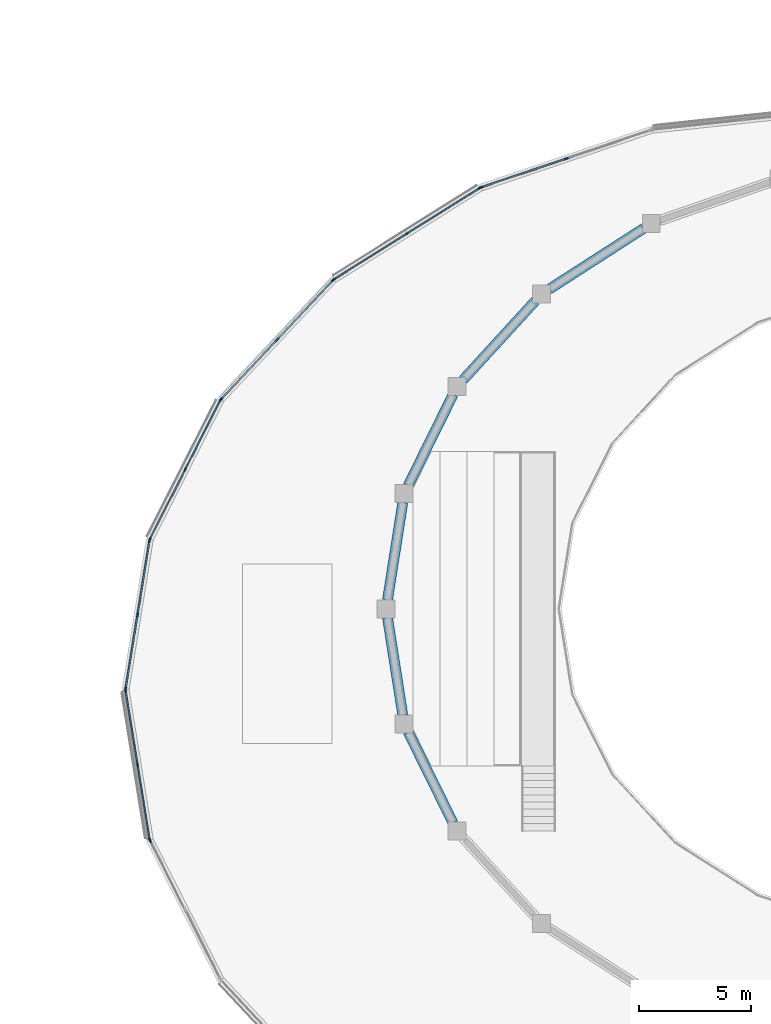
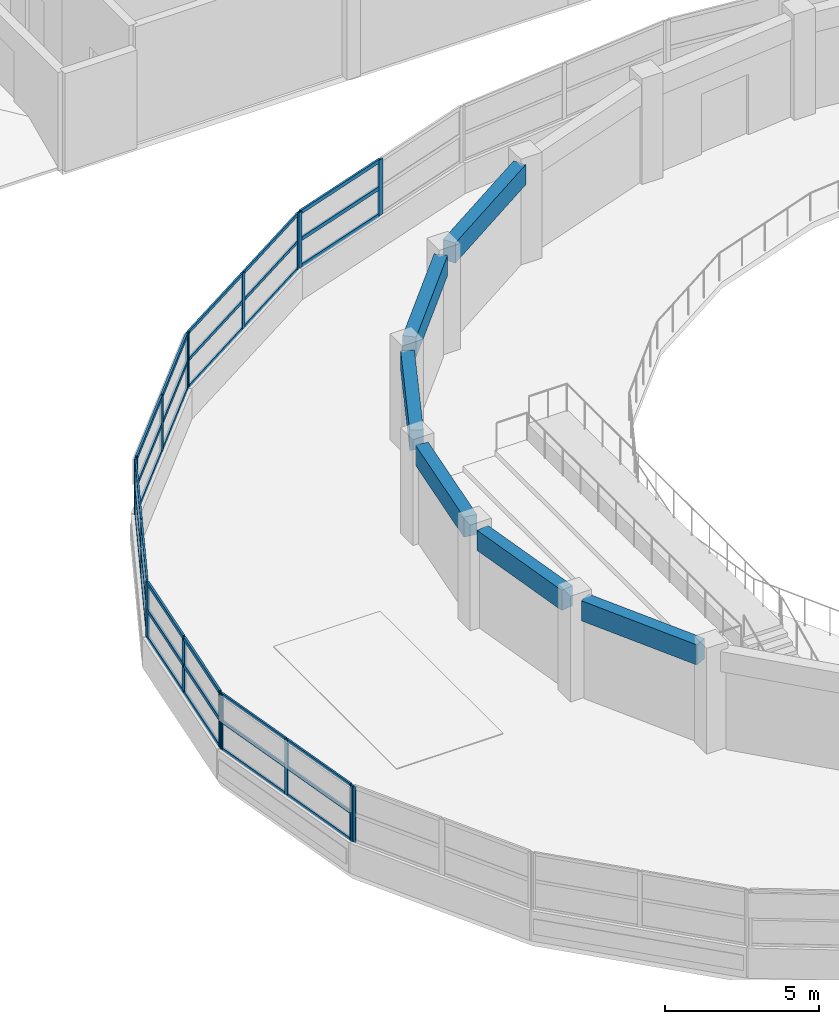
# One storey, part 13 of 54: 51 members, 6 beams, 7 elements without a shape of their own.
"""IFC4 building model written with IfcOpenShell, lengths in metres."""

from ifc_helpers import new_model, si_unit, direction, frame, origin, origin_2d, place, context, subcontext, project, spatial, rectangle, extrude, material, material_profile, profile_set, type_object, element, aggregate, save


model = new_model("IFC4")

# Units and contexts
model_context = context("Model", 3, precision=1e-05, world=origin(), true_north=direction((0.0, 1.0)))
body_context = subcontext(model_context, "Body", "Model", "MODEL_VIEW")
ifc_project = project(units=[si_unit("LENGTHUNIT", "METRE"), si_unit("AREAUNIT", "SQUARE_METRE"), si_unit("VOLUMEUNIT", "CUBIC_METRE"), si_unit("PLANEANGLEUNIT", "RADIAN"), si_unit("MASSUNIT", "GRAM", prefix="KILO")], contexts=[model_context])

# Site, building, storey
site_placement = place(None, origin())
site = spatial("IfcSite", under=ifc_project, at=site_placement, CompositionType="ELEMENT")
building_placement = place(site_placement, origin())
building = spatial("IfcBuilding", under=site, at=building_placement, Name="Parian Resonance Hall", CompositionType="ELEMENT")
storey_placement = place(building_placement, frame((0.0, 0.0, 15.0)))
storey = spatial("IfcBuildingStorey", under=building, at=storey_placement, Name="L03", CompositionType="ELEMENT", Elevation=15.0)

# Beams
ifc_material_1 = material(Name="Concrete C40/50", Category="concrete")
ifc_material_profile_1 = material_profile(ifc_material_1, rectangle(XDim=0.449951171875, YDim=0.800048828125, at=origin_2d()), Name="RC-BM-450x800")
ifc_profile_set_1 = profile_set([ifc_material_profile_1], Name="Concrete C40/50")
beam_type = type_object("IfcBeamType", Name="BM-RC450x800", PredefinedType="USERDEFINED", material=ifc_profile_set_1)
beam_1_placement = place(storey_placement, frame((31.86376953125, 60.930908203125, 3.530029296875), z_axis=(-0.840822266108, -0.541311293819, 0.0), x_axis=(0.541311293819, -0.840822266108, 0.0)))
element("IfcBeam", 1, at=beam_1_placement, inside=storey, type_object=beam_type, Name="Concert hall drum ring beam L03-09", ObjectType="GIRDER", PredefinedType="USERDEFINED", context=body_context, shape_type="SweptSolid", body=[
    extrude(rectangle(XDim=0.449951171875, YDim=0.800048828125, at=origin_2d()), origin(), (0.0, 0.0, 1.0), 5.012939453125),
])
beam_2_placement = place(storey_placement, frame((27.042236328125, 57.70556640625, 3.530029296875), z_axis=(-0.674892190981, -0.737916343872, 0.0), x_axis=(0.737916343872, -0.674892190981, 0.0)))
element("IfcBeam", 2, at=beam_2_placement, inside=storey, type_object=beam_type, Name="Concert hall drum ring beam L03-10", ObjectType="GIRDER", PredefinedType="USERDEFINED", context=body_context, shape_type="SweptSolid", body=[
    extrude(rectangle(XDim=0.449951171875, YDim=0.800048828125, at=origin_2d()), origin(), (0.0, 0.0, 1.0), 4.757080078125),
])
beam_3_placement = place(storey_placement, frame((23.384765625, 53.541259765625, 3.530029296875), z_axis=(-0.442697851544, -0.896670849441, 0.0), x_axis=(0.896670849441, -0.442697851544, 0.0)))
element("IfcBeam", 3, at=beam_3_placement, inside=storey, type_object=beam_type, Name="Concert hall drum ring beam L03-11", ObjectType="GIRDER", PredefinedType="USERDEFINED", context=body_context, shape_type="SweptSolid", body=[
    extrude(rectangle(XDim=0.449951171875, YDim=0.800048828125, at=origin_2d()), origin(), (0.0, 0.0, 1.0), 4.525390625),
])
for number, where, z_axis, x_axis, name in (
    (4, (21.14208984375, 48.7294921875, 3.530029296875), (-0.155033793728, -0.987909167283, 0.0), (0.987909167283, -0.155033793728, 0.0), "Concert hall drum ring beam L03-12"),
    (5, (20.4619140625, 43.604736328125, 3.530029296875), (0.155033793728, -0.987909167283, 0.0), (0.987909167283, 0.155033793728, 0.0), "Concert hall drum ring beam L03-13"),
):
    element("IfcBeam", number, at=place(storey_placement, frame(where, z_axis=z_axis, x_axis=x_axis)), inside=storey, type_object=beam_type, Name=name, ObjectType="GIRDER", PredefinedType="USERDEFINED", context=body_context, shape_type="SweptSolid", body=[
        extrude(rectangle(XDim=0.449951171875, YDim=0.800048828125, at=origin_2d()), origin(), (0.0, 0.0, 1.0), 4.38720703125),
    ])
beam_4_placement = place(storey_placement, frame((21.38134765625, 38.5166015625, 3.530029296875), z_axis=(0.442697851544, -0.896670849441, 0.0), x_axis=(0.896670849441, 0.442697851544, 0.0)))
element("IfcBeam", 6, at=beam_4_placement, inside=storey, type_object=beam_type, Name="Concert hall drum ring beam L03-14", ObjectType="GIRDER", PredefinedType="USERDEFINED", context=body_context, shape_type="SweptSolid", body=[
    extrude(rectangle(XDim=0.449951171875, YDim=0.800048828125, at=origin_2d()), origin(), (0.0, 0.0, 1.0), 4.525390625),
])

# Curtain wall, members
ifc_material_2 = material(Name="Bronze-anodised aluminium frame", Category="aluminium")
curtain_wall_type_1 = type_object("IfcCurtainWallType", Name="CW-SYS-05", PredefinedType="NOTDEFINED", material=ifc_material_2)
curtain_wall_1_placement = place(storey_placement, origin())
curtain_wall_1 = element("IfcCurtainWall", 7, at=curtain_wall_1_placement, inside=storey, type_object=curtain_wall_type_1, Name="Elliptical R3 recessed strip curtain wall 09", PredefinedType="NOTDEFINED")
ifc_material_3 = material(Name="Bronze-anodised aluminium frame", Category="aluminium")
ifc_material_profile_2 = material_profile(ifc_material_3, rectangle(XDim=0.06494140625, YDim=0.159912109375, at=origin_2d()), Name="CWM-65x160")
ifc_profile_set_2 = profile_set([ifc_material_profile_2], Name="Bronze-anodised aluminium frame")
member_type_1 = type_object("IfcMemberType", Name="CWM-65x160", PredefinedType="MULLION", material=ifc_profile_set_2)
member_1_placement = place(storey_placement, frame((18.0830078125, 58.66064453125, 1.19189453125), z_axis=(0.0, 0.0, 1.0), x_axis=(-0.530904164532, 0.847431866337, 0.0)))
member_1 = element("IfcMember", 8, at=member_1_placement, type_object=member_type_1, Name="CW-05 mullion 1", PredefinedType="MULLION", context=body_context, shape_type="SweptSolid", body=[
    extrude(rectangle(XDim=0.06494140625, YDim=0.159912109375, at=origin_2d()), origin(), (0.0, 0.0, 1.0), 2.218017578125),
])
member_2_placement = place(storey_placement, frame((21.32763671875, 60.693359375, 1.19189453125), z_axis=(0.0, 0.0, 1.0), x_axis=(-0.530904164532, 0.847431866337, 0.0)))
member_2 = element("IfcMember", 9, at=member_2_placement, type_object=member_type_1, Name="CW-05 mullion 2", PredefinedType="MULLION", context=body_context, shape_type="SweptSolid", body=[
    extrude(rectangle(XDim=0.06494140625, YDim=0.159912109375, at=origin_2d()), origin(), (0.0, 0.0, 1.0), 2.218017578125),
])
member_3_placement = place(storey_placement, frame((24.572509765625, 62.726318359375, 1.19189453125), z_axis=(0.0, 0.0, 1.0), x_axis=(-0.530904164532, 0.847431866337, 0.0)))
member_3 = element("IfcMember", 10, at=member_3_placement, type_object=member_type_1, Name="CW-05 mullion 3", PredefinedType="MULLION", context=body_context, shape_type="SweptSolid", body=[
    extrude(rectangle(XDim=0.06494140625, YDim=0.159912109375, at=origin_2d()), origin(), (0.0, 0.0, 1.0), 2.218017578125),
])

ifc_material_4 = material(Name="Bronze-anodised aluminium frame", Category="aluminium")
curtain_wall_type_2 = type_object("IfcCurtainWallType", Name="CW-SYS-01", PredefinedType="NOTDEFINED", material=ifc_material_4)
curtain_wall_2_placement = place(storey_placement, origin())
curtain_wall_2 = element("IfcCurtainWall", 11, at=curtain_wall_2_placement, inside=storey, type_object=curtain_wall_type_2, Name="Elliptical R3 recessed strip curtain wall 11", PredefinedType="NOTDEFINED")
member_4_placement = place(storey_placement, frame((9.891357421875, 47.1064453125, 1.19189453125), z_axis=(0.0, 0.0, 1.0), x_axis=(-0.891794894252, 0.452439903839, 0.0)))
member_4 = element("IfcMember", 12, at=member_4_placement, type_object=member_type_1, Name="CW-01 mullion 1", PredefinedType="MULLION", context=body_context, shape_type="SweptSolid", body=[
    extrude(rectangle(XDim=0.06494140625, YDim=0.159912109375, at=origin_2d()), origin(), (0.0, 0.0, 1.0), 2.218017578125),
])
member_5_placement = place(storey_placement, frame((11.455078125, 50.188720703125, 1.19189453125), z_axis=(0.0, 0.0, 1.0), x_axis=(-0.891794894252, 0.452439903839, 0.0)))
member_5 = element("IfcMember", 13, at=member_5_placement, type_object=member_type_1, Name="CW-01 mullion 2", PredefinedType="MULLION", context=body_context, shape_type="SweptSolid", body=[
    extrude(rectangle(XDim=0.06494140625, YDim=0.159912109375, at=origin_2d()), origin(), (0.0, 0.0, 1.0), 2.218017578125),
])
member_6_placement = place(storey_placement, frame((13.018798828125, 53.27099609375, 1.19189453125), z_axis=(0.0, 0.0, 1.0), x_axis=(-0.891794894252, 0.452439903839, 0.0)))
member_6 = element("IfcMember", 14, at=member_6_placement, type_object=member_type_1, Name="CW-01 mullion 3", PredefinedType="MULLION", context=body_context, shape_type="SweptSolid", body=[
    extrude(rectangle(XDim=0.06494140625, YDim=0.159912109375, at=origin_2d()), origin(), (0.0, 0.0, 1.0), 2.218017578125),
])

ifc_material_5 = material(Name="Bronze-anodised aluminium frame", Category="aluminium")
curtain_wall_type_3 = type_object("IfcCurtainWallType", Name="CW-SYS-03", PredefinedType="NOTDEFINED", material=ifc_material_5)
curtain_wall_3_placement = place(storey_placement, origin())
curtain_wall_3 = element("IfcCurtainWall", 15, at=curtain_wall_3_placement, inside=storey, type_object=curtain_wall_type_3, Name="Elliptical R3 recessed strip curtain wall 13", PredefinedType="NOTDEFINED")
member_7_placement = place(storey_placement, frame((9.87158203125, 33.754638671875, 1.19189453125), z_axis=(0.0, 0.0, 1.0), x_axis=(-0.987248467028, -0.159186884981, 0.0)))
member_7 = element("IfcMember", 16, at=member_7_placement, type_object=member_type_1, Name="CW-03 mullion 1", PredefinedType="MULLION", context=body_context, shape_type="SweptSolid", body=[
    extrude(rectangle(XDim=0.06494140625, YDim=0.159912109375, at=origin_2d()), origin(), (0.0, 0.0, 1.0), 2.218017578125),
])
member_8_placement = place(storey_placement, frame((9.33837890625, 37.061279296875, 1.19189453125), z_axis=(0.0, 0.0, 1.0), x_axis=(-0.987248467028, -0.159186884981, 0.0)))
member_8 = element("IfcMember", 17, at=member_8_placement, type_object=member_type_1, Name="CW-03 mullion 2", PredefinedType="MULLION", context=body_context, shape_type="SweptSolid", body=[
    extrude(rectangle(XDim=0.06494140625, YDim=0.159912109375, at=origin_2d()), origin(), (0.0, 0.0, 1.0), 2.218017578125),
])
member_9_placement = place(storey_placement, frame((8.80517578125, 40.367919921875, 1.19189453125), z_axis=(0.0, 0.0, 1.0), x_axis=(-0.987248467028, -0.159186884981, 0.0)))
member_9 = element("IfcMember", 18, at=member_9_placement, type_object=member_type_1, Name="CW-03 mullion 3", PredefinedType="MULLION", context=body_context, shape_type="SweptSolid", body=[
    extrude(rectangle(XDim=0.06494140625, YDim=0.159912109375, at=origin_2d()), origin(), (0.0, 0.0, 1.0), 2.218017578125),
])

ifc_material_6 = material(Name="Bronze-anodised aluminium frame", Category="aluminium")
curtain_wall_type_4 = type_object("IfcCurtainWallType", Name="CW-SYS-04", PredefinedType="NOTDEFINED", material=ifc_material_6)
curtain_wall_4_placement = place(storey_placement, origin())
curtain_wall_4 = element("IfcCurtainWall", 19, at=curtain_wall_4_placement, inside=storey, type_object=curtain_wall_type_4, Name="Elliptical R3 recessed strip curtain wall 08", PredefinedType="NOTDEFINED")
ifc_material_7 = material(Name="Bronze-anodised aluminium frame", Category="aluminium")
ifc_material_profile_3 = material_profile(ifc_material_7, rectangle(XDim=0.074951171875, YDim=0.199951171875, at=origin_2d()), Name="CWM-75x200")
ifc_profile_set_3 = profile_set([ifc_material_profile_3], Name="Bronze-anodised aluminium frame")
member_type_2 = type_object("IfcMemberType", Name="CWM-75x200", PredefinedType="MULLION", material=ifc_profile_set_3)
member_10_placement = place(storey_placement, frame((24.635498046875, 62.755615234375, 1.19189453125), z_axis=(0.0, 0.0, 1.0), x_axis=(-0.320360084104, 0.947295844239, 0.0)))
member_10 = element("IfcMember", 20, at=member_10_placement, type_object=member_type_2, Name="CW-04 mullion 1", PredefinedType="MULLION", context=body_context, shape_type="SweptSolid", body=[
    extrude(rectangle(XDim=0.074951171875, YDim=0.199951171875, at=origin_2d()), origin(), (0.0, 0.0, 1.0), 2.218017578125),
])
member_11_placement = place(storey_placement, frame((28.41064453125, 64.0322265625, 1.19189453125), z_axis=(0.0, 0.0, 1.0), x_axis=(-0.320360084104, 0.947295844239, 0.0)))
member_11 = element("IfcMember", 21, at=member_11_placement, type_object=member_type_2, Name="CW-04 mullion 2", PredefinedType="MULLION", context=body_context, shape_type="SweptSolid", body=[
    extrude(rectangle(XDim=0.074951171875, YDim=0.199951171875, at=origin_2d()), origin(), (0.0, 0.0, 1.0), 2.218017578125),
])

ifc_material_8 = material(Name="Bronze-anodised aluminium frame", Category="aluminium")
curtain_wall_type_5 = type_object("IfcCurtainWallType", Name="CW-SYS-06", PredefinedType="NOTDEFINED", material=ifc_material_8)
curtain_wall_5_placement = place(storey_placement, origin())
curtain_wall_5 = element("IfcCurtainWall", 22, at=curtain_wall_5_placement, inside=storey, type_object=curtain_wall_type_5, Name="Elliptical R3 recessed strip curtain wall 10", PredefinedType="NOTDEFINED")
member_12_placement = place(storey_placement, frame((13.059326171875, 53.327392578125, 1.19189453125), z_axis=(0.0, 0.0, 1.0), x_axis=(-0.728695449283, 0.684837894829, 0.0)))
member_12 = element("IfcMember", 23, at=member_12_placement, type_object=member_type_2, Name="CW-06 mullion 1", PredefinedType="MULLION", context=body_context, shape_type="SweptSolid", body=[
    extrude(rectangle(XDim=0.074951171875, YDim=0.199951171875, at=origin_2d()), origin(), (0.0, 0.0, 1.0), 2.218017578125),
])
member_13_placement = place(storey_placement, frame((15.54443359375, 55.9716796875, 1.19189453125), z_axis=(0.0, 0.0, 1.0), x_axis=(-0.728695449283, 0.684837894829, 0.0)))
member_13 = element("IfcMember", 24, at=member_13_placement, type_object=member_type_2, Name="CW-06 mullion 2", PredefinedType="MULLION", context=body_context, shape_type="SweptSolid", body=[
    extrude(rectangle(XDim=0.074951171875, YDim=0.199951171875, at=origin_2d()), origin(), (0.0, 0.0, 1.0), 2.218017578125),
])
member_14_placement = place(storey_placement, frame((18.02978515625, 58.615966796875, 1.19189453125), z_axis=(0.0, 0.0, 1.0), x_axis=(-0.728695449283, 0.684837894829, 0.0)))
member_14 = element("IfcMember", 25, at=member_14_placement, type_object=member_type_2, Name="CW-06 mullion 3", PredefinedType="MULLION", context=body_context, shape_type="SweptSolid", body=[
    extrude(rectangle(XDim=0.074951171875, YDim=0.199951171875, at=origin_2d()), origin(), (0.0, 0.0, 1.0), 2.218017578125),
])

ifc_material_9 = material(Name="Bronze-anodised aluminium frame", Category="aluminium")
curtain_wall_type_6 = type_object("IfcCurtainWallType", Name="CW-SYS-02", PredefinedType="NOTDEFINED", material=ifc_material_9)
curtain_wall_6_placement = place(storey_placement, origin())
curtain_wall_6 = element("IfcCurtainWall", 26, at=curtain_wall_6_placement, inside=storey, type_object=curtain_wall_type_6, Name="Elliptical R3 recessed strip curtain wall 12", PredefinedType="NOTDEFINED")
member_15_placement = place(storey_placement, frame((8.805908203125, 40.43701171875, 1.19189453125), z_axis=(0.0, 0.0, 1.0), x_axis=(-0.987248467028, 0.159186884981, 0.0)))
member_15 = element("IfcMember", 27, at=member_15_placement, type_object=member_type_2, Name="CW-02 mullion 1", PredefinedType="MULLION", context=body_context, shape_type="SweptSolid", body=[
    extrude(rectangle(XDim=0.074951171875, YDim=0.199951171875, at=origin_2d()), origin(), (0.0, 0.0, 1.0), 2.218017578125),
])
member_16_placement = place(storey_placement, frame((9.33837890625, 43.73876953125, 1.19189453125), z_axis=(0.0, 0.0, 1.0), x_axis=(-0.987248467028, 0.159186884981, 0.0)))
member_16 = element("IfcMember", 28, at=member_16_placement, type_object=member_type_2, Name="CW-02 mullion 2", PredefinedType="MULLION", context=body_context, shape_type="SweptSolid", body=[
    extrude(rectangle(XDim=0.074951171875, YDim=0.199951171875, at=origin_2d()), origin(), (0.0, 0.0, 1.0), 2.218017578125),
])
member_17_placement = place(storey_placement, frame((9.870849609375, 47.04052734375, 1.19189453125), z_axis=(0.0, 0.0, 1.0), x_axis=(-0.987248467028, 0.159186884981, 0.0)))
member_17 = element("IfcMember", 29, at=member_17_placement, type_object=member_type_2, Name="CW-02 mullion 3", PredefinedType="MULLION", context=body_context, shape_type="SweptSolid", body=[
    extrude(rectangle(XDim=0.074951171875, YDim=0.199951171875, at=origin_2d()), origin(), (0.0, 0.0, 1.0), 2.218017578125),
])

# Curtain wall, member
curtain_wall_7_placement = place(storey_placement, origin())
curtain_wall_7 = element("IfcCurtainWall", 30, at=curtain_wall_7_placement, inside=storey, type_object=curtain_wall_type_4, Name="Elliptical R3 recessed strip curtain wall 14", PredefinedType="NOTDEFINED")
member_18_placement = place(storey_placement, frame((9.8935546875, 33.68896484375, 1.19189453125), z_axis=(0.0, 0.0, 1.0), x_axis=(-0.891794894252, -0.452439903839, 0.0)))
member_18 = element("IfcMember", 31, at=member_18_placement, type_object=member_type_2, Name="CW-04 mullion 3", PredefinedType="MULLION", context=body_context, shape_type="SweptSolid", body=[
    extrude(rectangle(XDim=0.074951171875, YDim=0.199951171875, at=origin_2d()), origin(), (0.0, 0.0, 1.0), 2.218017578125),
])
aggregate(curtain_wall_7, [member_18])

# Member
ifc_material_10 = material(Name="Bronze-anodised aluminium frame", Category="aluminium")
ifc_material_profile_4 = material_profile(ifc_material_10, rectangle(XDim=0.06494140625, YDim=0.1201171875, at=origin_2d()), Name="CWT-65x120")
ifc_profile_set_4 = profile_set([ifc_material_profile_4], Name="Bronze-anodised aluminium frame")
member_type_3 = type_object("IfcMemberType", Name="CWT-65x120", PredefinedType="USERDEFINED", material=ifc_profile_set_4)
member_19_placement = place(storey_placement, frame((18.110595703125, 58.677978515625, 1.224609375), z_axis=(0.847414722029, 0.530931529379, 0.0), x_axis=(-0.530931529379, 0.847414722029, 0.0)))
member_19 = element("IfcMember", 32, at=member_19_placement, type_object=member_type_3, Name="CW-05 transom 1.1", ObjectType="TRANSOM", PredefinedType="USERDEFINED", context=body_context, shape_type="SweptSolid", body=[
    extrude(rectangle(XDim=0.06494140625, YDim=0.1201171875, at=origin_2d()), origin(), (0.0, 0.0, 1.0), 3.763671875),
])

member_20_placement = place(storey_placement, frame((18.110595703125, 58.677978515625, 2.300048828125), z_axis=(0.847414722029, 0.530931529379, 0.0), x_axis=(-0.530931529379, 0.847414722029, 0.0)))
member_20 = element("IfcMember", 33, at=member_20_placement, type_object=member_type_3, Name="CW-05 transom 1.2", ObjectType="TRANSOM", PredefinedType="USERDEFINED", context=body_context, shape_type="SweptSolid", body=[
    extrude(rectangle(XDim=0.06494140625, YDim=0.1201171875, at=origin_2d()), origin(), (0.0, 0.0, 1.0), 3.763671875),
])

member_21_placement = place(storey_placement, frame((18.110595703125, 58.677978515625, 3.37744140625), z_axis=(0.847414722029, 0.530931529379, 0.0), x_axis=(-0.530931529379, 0.847414722029, 0.0)))
member_21 = element("IfcMember", 34, at=member_21_placement, type_object=member_type_3, Name="CW-05 transom 1.3", ObjectType="TRANSOM", PredefinedType="USERDEFINED", context=body_context, shape_type="SweptSolid", body=[
    extrude(rectangle(XDim=0.06494140625, YDim=0.1201171875, at=origin_2d()), origin(), (0.0, 0.0, 1.0), 3.763671875),
])

member_22_placement = place(storey_placement, frame((21.355224609375, 60.710693359375, 1.224609375), z_axis=(0.847433005601, 0.530902346027, 0.0), x_axis=(-0.530902346027, 0.847433005601, 0.0)))
member_22 = element("IfcMember", 35, at=member_22_placement, type_object=member_type_3, Name="CW-05 transom 2.1", ObjectType="TRANSOM", PredefinedType="USERDEFINED", context=body_context, shape_type="SweptSolid", body=[
    extrude(rectangle(XDim=0.06494140625, YDim=0.1201171875, at=origin_2d()), origin(), (0.0, 0.0, 1.0), 3.763916015625),
])

member_23_placement = place(storey_placement, frame((21.355224609375, 60.710693359375, 2.300048828125), z_axis=(0.847433005601, 0.530902346027, 0.0), x_axis=(-0.530902346027, 0.847433005601, 0.0)))
member_23 = element("IfcMember", 36, at=member_23_placement, type_object=member_type_3, Name="CW-05 transom 2.2", ObjectType="TRANSOM", PredefinedType="USERDEFINED", context=body_context, shape_type="SweptSolid", body=[
    extrude(rectangle(XDim=0.06494140625, YDim=0.1201171875, at=origin_2d()), origin(), (0.0, 0.0, 1.0), 3.763916015625),
])

member_24_placement = place(storey_placement, frame((21.355224609375, 60.710693359375, 3.37744140625), z_axis=(0.847433005601, 0.530902346027, 0.0), x_axis=(-0.530902346027, 0.847433005601, 0.0)))
member_24 = element("IfcMember", 37, at=member_24_placement, type_object=member_type_3, Name="CW-05 transom 2.3", ObjectType="TRANSOM", PredefinedType="USERDEFINED", context=body_context, shape_type="SweptSolid", body=[
    extrude(rectangle(XDim=0.06494140625, YDim=0.1201171875, at=origin_2d()), origin(), (0.0, 0.0, 1.0), 3.763916015625),
])

aggregate(curtain_wall_1, [member_1, member_2, member_3, member_19, member_20, member_21, member_22, member_23, member_24])

member_25_placement = place(storey_placement, frame((9.906005859375, 47.135498046875, 1.224609375), z_axis=(0.452475717261, 0.8917767239, 0.0), x_axis=(-0.8917767239, 0.452475717261, 0.0)))
member_25 = element("IfcMember", 38, at=member_25_placement, type_object=member_type_3, Name="CW-01 transom 1.1", ObjectType="TRANSOM", PredefinedType="USERDEFINED", context=body_context, shape_type="SweptSolid", body=[
    extrude(rectangle(XDim=0.06494140625, YDim=0.1201171875, at=origin_2d()), origin(), (0.0, 0.0, 1.0), 3.39111328125),
])

member_26_placement = place(storey_placement, frame((9.906005859375, 47.135498046875, 2.300048828125), z_axis=(0.452475717261, 0.8917767239, 0.0), x_axis=(-0.8917767239, 0.452475717261, 0.0)))
member_26 = element("IfcMember", 39, at=member_26_placement, type_object=member_type_3, Name="CW-01 transom 1.2", ObjectType="TRANSOM", PredefinedType="USERDEFINED", context=body_context, shape_type="SweptSolid", body=[
    extrude(rectangle(XDim=0.06494140625, YDim=0.1201171875, at=origin_2d()), origin(), (0.0, 0.0, 1.0), 3.39111328125),
])

member_27_placement = place(storey_placement, frame((9.906005859375, 47.135498046875, 3.37744140625), z_axis=(0.452475717261, 0.8917767239, 0.0), x_axis=(-0.8917767239, 0.452475717261, 0.0)))
member_27 = element("IfcMember", 40, at=member_27_placement, type_object=member_type_3, Name="CW-01 transom 1.3", ObjectType="TRANSOM", PredefinedType="USERDEFINED", context=body_context, shape_type="SweptSolid", body=[
    extrude(rectangle(XDim=0.06494140625, YDim=0.1201171875, at=origin_2d()), origin(), (0.0, 0.0, 1.0), 3.39111328125),
])

member_28_placement = place(storey_placement, frame((11.469970703125, 50.2177734375, 1.224609375), z_axis=(0.452418460934, 0.891805772691, 0.0), x_axis=(-0.891805772691, 0.452418460934, 0.0)))
member_28 = element("IfcMember", 41, at=member_28_placement, type_object=member_type_3, Name="CW-01 transom 2.1", ObjectType="TRANSOM", PredefinedType="USERDEFINED", context=body_context, shape_type="SweptSolid", body=[
    extrude(rectangle(XDim=0.06494140625, YDim=0.1201171875, at=origin_2d()), origin(), (0.0, 0.0, 1.0), 3.39111328125),
])

member_29_placement = place(storey_placement, frame((11.469970703125, 50.2177734375, 2.300048828125), z_axis=(0.452418460934, 0.891805772691, 0.0), x_axis=(-0.891805772691, 0.452418460934, 0.0)))
member_29 = element("IfcMember", 42, at=member_29_placement, type_object=member_type_3, Name="CW-01 transom 2.2", ObjectType="TRANSOM", PredefinedType="USERDEFINED", context=body_context, shape_type="SweptSolid", body=[
    extrude(rectangle(XDim=0.06494140625, YDim=0.1201171875, at=origin_2d()), origin(), (0.0, 0.0, 1.0), 3.39111328125),
])

member_30_placement = place(storey_placement, frame((11.469970703125, 50.2177734375, 3.37744140625), z_axis=(0.452418460934, 0.891805772691, 0.0), x_axis=(-0.891805772691, 0.452418460934, 0.0)))
member_30 = element("IfcMember", 43, at=member_30_placement, type_object=member_type_3, Name="CW-01 transom 2.3", ObjectType="TRANSOM", PredefinedType="USERDEFINED", context=body_context, shape_type="SweptSolid", body=[
    extrude(rectangle(XDim=0.06494140625, YDim=0.1201171875, at=origin_2d()), origin(), (0.0, 0.0, 1.0), 3.39111328125),
])

aggregate(curtain_wall_2, [member_4, member_5, member_6, member_25, member_26, member_27, member_28, member_29, member_30])

member_31_placement = place(storey_placement, frame((9.866455078125, 33.78662109375, 1.224609375), z_axis=(-0.159225427513, 0.987242251544, 0.0), x_axis=(-0.987242251544, -0.159225427513, 0.0)))
member_31 = element("IfcMember", 44, at=member_31_placement, type_object=member_type_3, Name="CW-03 transom 1.1", ObjectType="TRANSOM", PredefinedType="USERDEFINED", context=body_context, shape_type="SweptSolid", body=[
    extrude(rectangle(XDim=0.06494140625, YDim=0.1201171875, at=origin_2d()), origin(), (0.0, 0.0, 1.0), 3.284423828125),
])

member_32_placement = place(storey_placement, frame((9.866455078125, 33.78662109375, 2.300048828125), z_axis=(-0.159225427513, 0.987242251544, 0.0), x_axis=(-0.987242251544, -0.159225427513, 0.0)))
member_32 = element("IfcMember", 45, at=member_32_placement, type_object=member_type_3, Name="CW-03 transom 1.2", ObjectType="TRANSOM", PredefinedType="USERDEFINED", context=body_context, shape_type="SweptSolid", body=[
    extrude(rectangle(XDim=0.06494140625, YDim=0.1201171875, at=origin_2d()), origin(), (0.0, 0.0, 1.0), 3.284423828125),
])

member_33_placement = place(storey_placement, frame((9.866455078125, 33.78662109375, 3.37744140625), z_axis=(-0.159225427513, 0.987242251544, 0.0), x_axis=(-0.987242251544, -0.159225427513, 0.0)))
member_33 = element("IfcMember", 46, at=member_33_placement, type_object=member_type_3, Name="CW-03 transom 1.3", ObjectType="TRANSOM", PredefinedType="USERDEFINED", context=body_context, shape_type="SweptSolid", body=[
    extrude(rectangle(XDim=0.06494140625, YDim=0.1201171875, at=origin_2d()), origin(), (0.0, 0.0, 1.0), 3.284423828125),
])

member_34_placement = place(storey_placement, frame((9.333251953125, 37.09326171875, 1.224609375), z_axis=(-0.159213743349, 0.98724413593, 0.0), x_axis=(-0.98724413593, -0.159213743349, 0.0)))
member_34 = element("IfcMember", 47, at=member_34_placement, type_object=member_type_3, Name="CW-03 transom 2.1", ObjectType="TRANSOM", PredefinedType="USERDEFINED", context=body_context, shape_type="SweptSolid", body=[
    extrude(rectangle(XDim=0.06494140625, YDim=0.1201171875, at=origin_2d()), origin(), (0.0, 0.0, 1.0), 3.28466796875),
])

member_35_placement = place(storey_placement, frame((9.333251953125, 37.09326171875, 2.300048828125), z_axis=(-0.159213743349, 0.98724413593, 0.0), x_axis=(-0.98724413593, -0.159213743349, 0.0)))
member_35 = element("IfcMember", 48, at=member_35_placement, type_object=member_type_3, Name="CW-03 transom 2.2", ObjectType="TRANSOM", PredefinedType="USERDEFINED", context=body_context, shape_type="SweptSolid", body=[
    extrude(rectangle(XDim=0.06494140625, YDim=0.1201171875, at=origin_2d()), origin(), (0.0, 0.0, 1.0), 3.28466796875),
])

member_36_placement = place(storey_placement, frame((9.333251953125, 37.09326171875, 3.37744140625), z_axis=(-0.159213743349, 0.98724413593, 0.0), x_axis=(-0.98724413593, -0.159213743349, 0.0)))
member_36 = element("IfcMember", 49, at=member_36_placement, type_object=member_type_3, Name="CW-03 transom 2.3", ObjectType="TRANSOM", PredefinedType="USERDEFINED", context=body_context, shape_type="SweptSolid", body=[
    extrude(rectangle(XDim=0.06494140625, YDim=0.1201171875, at=origin_2d()), origin(), (0.0, 0.0, 1.0), 3.28466796875),
])

aggregate(curtain_wall_3, [member_7, member_8, member_9, member_31, member_32, member_33, member_34, member_35, member_36])

ifc_material_11 = material(Name="Bronze-anodised aluminium frame", Category="aluminium")
ifc_material_profile_5 = material_profile(ifc_material_11, rectangle(XDim=0.074951171875, YDim=0.14990234375, at=origin_2d()), Name="CWT-75x150")
ifc_profile_set_5 = profile_set([ifc_material_profile_5], Name="Bronze-anodised aluminium frame")
member_type_4 = type_object("IfcMemberType", Name="CWT-75x150", PredefinedType="USERDEFINED", material=ifc_profile_set_5)
member_37_placement = place(storey_placement, frame((24.671142578125, 62.767578125, 1.2294921875), z_axis=(0.947294408447, 0.320364329669, 0.0), x_axis=(-0.320364329669, 0.947294408447, 0.0)))
member_37 = element("IfcMember", 50, at=member_37_placement, type_object=member_type_4, Name="CW-04 transom 1.1", ObjectType="TRANSOM", PredefinedType="USERDEFINED", context=body_context, shape_type="SweptSolid", body=[
    extrude(rectangle(XDim=0.074951171875, YDim=0.14990234375, at=origin_2d()), origin(), (0.0, 0.0, 1.0), 3.91015625),
])

member_38_placement = place(storey_placement, frame((24.671142578125, 62.767578125, 2.300048828125), z_axis=(0.947294408447, 0.320364329669, 0.0), x_axis=(-0.320364329669, 0.947294408447, 0.0)))
member_38 = element("IfcMember", 51, at=member_38_placement, type_object=member_type_4, Name="CW-04 transom 1.2", ObjectType="TRANSOM", PredefinedType="USERDEFINED", context=body_context, shape_type="SweptSolid", body=[
    extrude(rectangle(XDim=0.074951171875, YDim=0.14990234375, at=origin_2d()), origin(), (0.0, 0.0, 1.0), 3.91015625),
])

member_39_placement = place(storey_placement, frame((24.671142578125, 62.767578125, 3.37255859375), z_axis=(0.947294408447, 0.320364329669, 0.0), x_axis=(-0.320364329669, 0.947294408447, 0.0)))
member_39 = element("IfcMember", 52, at=member_39_placement, type_object=member_type_4, Name="CW-04 transom 1.3", ObjectType="TRANSOM", PredefinedType="USERDEFINED", context=body_context, shape_type="SweptSolid", body=[
    extrude(rectangle(XDim=0.074951171875, YDim=0.14990234375, at=origin_2d()), origin(), (0.0, 0.0, 1.0), 3.91015625),
])

aggregate(curtain_wall_4, [member_10, member_11, member_37, member_38, member_39])

member_40_placement = place(storey_placement, frame((13.0849609375, 53.354736328125, 1.2294921875), z_axis=(0.684852381249, 0.728681834478, 0.0), x_axis=(-0.728681834478, 0.684852381249, 0.0)))
member_40 = element("IfcMember", 53, at=member_40_placement, type_object=member_type_4, Name="CW-06 transom 1.1", ObjectType="TRANSOM", PredefinedType="USERDEFINED", context=body_context, shape_type="SweptSolid", body=[
    extrude(rectangle(XDim=0.074951171875, YDim=0.14990234375, at=origin_2d()), origin(), (0.0, 0.0, 1.0), 3.5537109375),
])

member_41_placement = place(storey_placement, frame((13.0849609375, 53.354736328125, 2.300048828125), z_axis=(0.684852381249, 0.728681834478, 0.0), x_axis=(-0.728681834478, 0.684852381249, 0.0)))
member_41 = element("IfcMember", 54, at=member_41_placement, type_object=member_type_4, Name="CW-06 transom 1.2", ObjectType="TRANSOM", PredefinedType="USERDEFINED", context=body_context, shape_type="SweptSolid", body=[
    extrude(rectangle(XDim=0.074951171875, YDim=0.14990234375, at=origin_2d()), origin(), (0.0, 0.0, 1.0), 3.5537109375),
])

member_42_placement = place(storey_placement, frame((13.0849609375, 53.354736328125, 3.37255859375), z_axis=(0.684852381249, 0.728681834478, 0.0), x_axis=(-0.728681834478, 0.684852381249, 0.0)))
member_42 = element("IfcMember", 55, at=member_42_placement, type_object=member_type_4, Name="CW-06 transom 1.3", ObjectType="TRANSOM", PredefinedType="USERDEFINED", context=body_context, shape_type="SweptSolid", body=[
    extrude(rectangle(XDim=0.074951171875, YDim=0.14990234375, at=origin_2d()), origin(), (0.0, 0.0, 1.0), 3.5537109375),
])

member_43_placement = place(storey_placement, frame((15.570068359375, 55.9990234375, 1.2294921875), z_axis=(0.684854575097, 0.728679772581, 0.0), x_axis=(-0.728679772581, 0.684854575097, 0.0)))
member_43 = element("IfcMember", 56, at=member_43_placement, type_object=member_type_4, Name="CW-06 transom 2.1", ObjectType="TRANSOM", PredefinedType="USERDEFINED", context=body_context, shape_type="SweptSolid", body=[
    extrude(rectangle(XDim=0.074951171875, YDim=0.14990234375, at=origin_2d()), origin(), (0.0, 0.0, 1.0), 3.55419921875),
])

member_44_placement = place(storey_placement, frame((15.570068359375, 55.9990234375, 2.300048828125), z_axis=(0.684854575097, 0.728679772581, 0.0), x_axis=(-0.728679772581, 0.684854575097, 0.0)))
member_44 = element("IfcMember", 57, at=member_44_placement, type_object=member_type_4, Name="CW-06 transom 2.2", ObjectType="TRANSOM", PredefinedType="USERDEFINED", context=body_context, shape_type="SweptSolid", body=[
    extrude(rectangle(XDim=0.074951171875, YDim=0.14990234375, at=origin_2d()), origin(), (0.0, 0.0, 1.0), 3.55419921875),
])

member_45_placement = place(storey_placement, frame((15.570068359375, 55.9990234375, 3.37255859375), z_axis=(0.684854575097, 0.728679772581, 0.0), x_axis=(-0.728679772581, 0.684854575097, 0.0)))
member_45 = element("IfcMember", 58, at=member_45_placement, type_object=member_type_4, Name="CW-06 transom 2.3", ObjectType="TRANSOM", PredefinedType="USERDEFINED", context=body_context, shape_type="SweptSolid", body=[
    extrude(rectangle(XDim=0.074951171875, YDim=0.14990234375, at=origin_2d()), origin(), (0.0, 0.0, 1.0), 3.55419921875),
])

aggregate(curtain_wall_5, [member_12, member_13, member_14, member_40, member_41, member_42, member_43, member_44, member_45])

member_46_placement = place(storey_placement, frame((8.81201171875, 40.47412109375, 1.2294921875), z_axis=(0.15914086931, 0.987255885632, 0.0), x_axis=(-0.987255885632, 0.15914086931, 0.0)))
member_46 = element("IfcMember", 59, at=member_46_placement, type_object=member_type_4, Name="CW-02 transom 1.1", ObjectType="TRANSOM", PredefinedType="USERDEFINED", context=body_context, shape_type="SweptSolid", body=[
    extrude(rectangle(XDim=0.074951171875, YDim=0.14990234375, at=origin_2d()), origin(), (0.0, 0.0, 1.0), 3.269287109375),
])

member_47_placement = place(storey_placement, frame((8.81201171875, 40.47412109375, 2.300048828125), z_axis=(0.15914086931, 0.987255885632, 0.0), x_axis=(-0.987255885632, 0.15914086931, 0.0)))
member_47 = element("IfcMember", 60, at=member_47_placement, type_object=member_type_4, Name="CW-02 transom 1.2", ObjectType="TRANSOM", PredefinedType="USERDEFINED", context=body_context, shape_type="SweptSolid", body=[
    extrude(rectangle(XDim=0.074951171875, YDim=0.14990234375, at=origin_2d()), origin(), (0.0, 0.0, 1.0), 3.269287109375),
])

member_48_placement = place(storey_placement, frame((8.81201171875, 40.47412109375, 3.37255859375), z_axis=(0.15914086931, 0.987255885632, 0.0), x_axis=(-0.987255885632, 0.15914086931, 0.0)))
member_48 = element("IfcMember", 61, at=member_48_placement, type_object=member_type_4, Name="CW-02 transom 1.3", ObjectType="TRANSOM", PredefinedType="USERDEFINED", context=body_context, shape_type="SweptSolid", body=[
    extrude(rectangle(XDim=0.074951171875, YDim=0.14990234375, at=origin_2d()), origin(), (0.0, 0.0, 1.0), 3.269287109375),
])

member_49_placement = place(storey_placement, frame((9.34423828125, 43.77587890625, 1.2294921875), z_axis=(0.159213655669, 0.98724415007, 0.0), x_axis=(-0.98724415007, 0.159213655669, 0.0)))
member_49 = element("IfcMember", 62, at=member_49_placement, type_object=member_type_4, Name="CW-02 transom 2.1", ObjectType="TRANSOM", PredefinedType="USERDEFINED", context=body_context, shape_type="SweptSolid", body=[
    extrude(rectangle(XDim=0.074951171875, YDim=0.14990234375, at=origin_2d()), origin(), (0.0, 0.0, 1.0), 3.269287109375),
])

member_50_placement = place(storey_placement, frame((9.34423828125, 43.77587890625, 2.300048828125), z_axis=(0.159213655669, 0.98724415007, 0.0), x_axis=(-0.98724415007, 0.159213655669, 0.0)))
member_50 = element("IfcMember", 63, at=member_50_placement, type_object=member_type_4, Name="CW-02 transom 2.2", ObjectType="TRANSOM", PredefinedType="USERDEFINED", context=body_context, shape_type="SweptSolid", body=[
    extrude(rectangle(XDim=0.074951171875, YDim=0.14990234375, at=origin_2d()), origin(), (0.0, 0.0, 1.0), 3.269287109375),
])

member_51_placement = place(storey_placement, frame((9.34423828125, 43.77587890625, 3.37255859375), z_axis=(0.159213655669, 0.98724415007, 0.0), x_axis=(-0.98724415007, 0.159213655669, 0.0)))
member_51 = element("IfcMember", 64, at=member_51_placement, type_object=member_type_4, Name="CW-02 transom 2.3", ObjectType="TRANSOM", PredefinedType="USERDEFINED", context=body_context, shape_type="SweptSolid", body=[
    extrude(rectangle(XDim=0.074951171875, YDim=0.14990234375, at=origin_2d()), origin(), (0.0, 0.0, 1.0), 3.269287109375),
])

aggregate(curtain_wall_6, [member_15, member_16, member_17, member_46, member_47, member_48, member_49, member_50, member_51])

save(model, "model.ifc")
